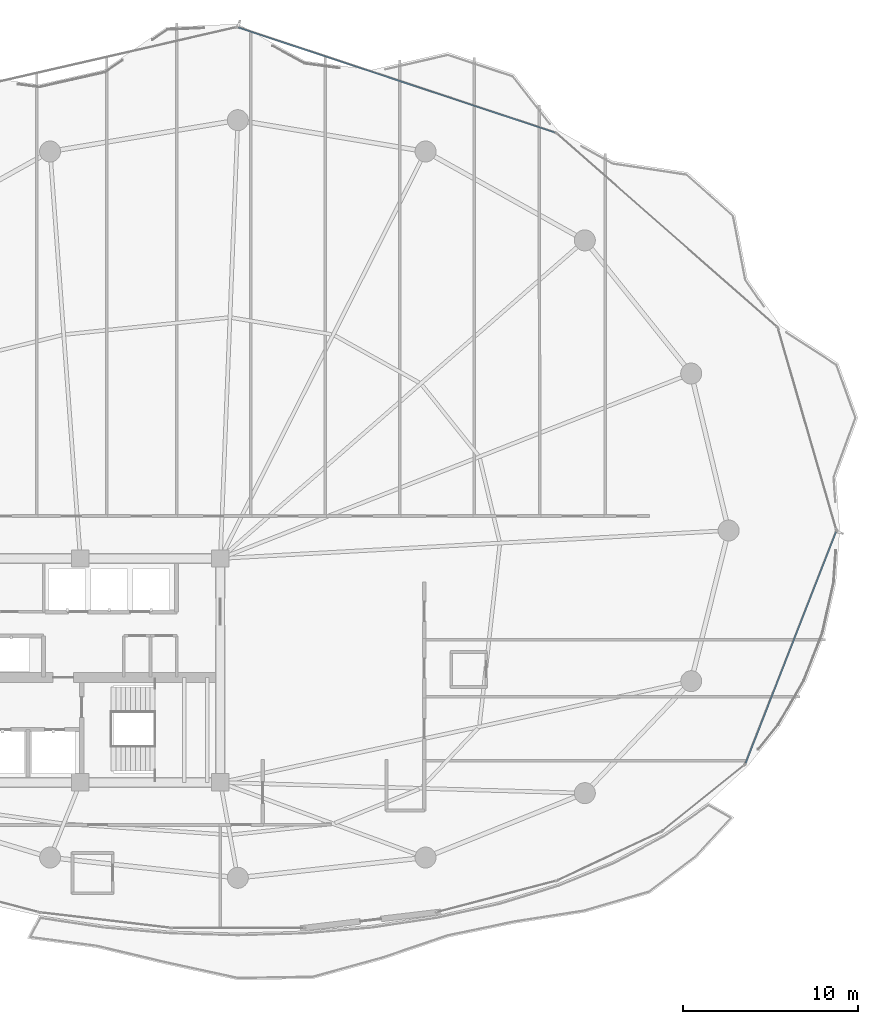
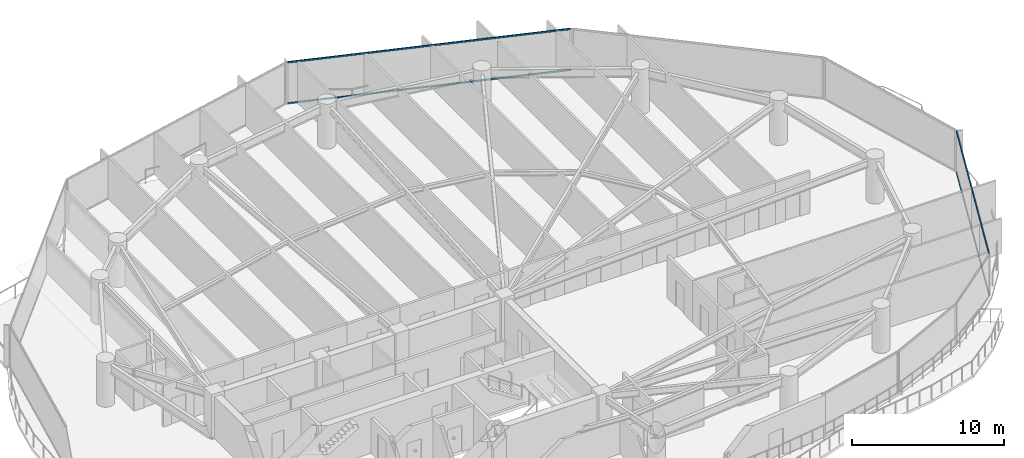
# One storey, part 23 of 34: 4 members, 2 elements without a shape of their own.
"""IFC4 building model written with IfcOpenShell, lengths in metres."""

from ifc_helpers import new_model, si_unit, direction, frame, origin, origin_2d, place, context, subcontext, project, spatial, hollow_rectangle, extrude, material, layer, layer_set, material_profile, profile_set, type_object, element, aggregate, save


model = new_model("IFC4")

# Units and contexts
model_context = context("Model", 3, precision=1e-05, world=origin(), true_north=direction((0.0, 1.0)))
body_context = subcontext(model_context, "Body", "Model", "MODEL_VIEW")
ifc_project = project(units=[si_unit("LENGTHUNIT", "METRE"), si_unit("AREAUNIT", "SQUARE_METRE"), si_unit("VOLUMEUNIT", "CUBIC_METRE"), si_unit("PLANEANGLEUNIT", "RADIAN"), si_unit("MASSUNIT", "GRAM", prefix="KILO")], contexts=[model_context])

# Site, building, storey
site_placement = place(None, origin())
site = spatial("IfcSite", under=ifc_project, at=site_placement, CompositionType="ELEMENT")
building_placement = place(site_placement, origin())
building = spatial("IfcBuilding", under=site, at=building_placement, Name="Kazevale Care Tower and Concert Hall", CompositionType="ELEMENT")
storey_placement = place(building_placement, frame((0.0, 0.0, 160.199951171875)))
storey = spatial("IfcBuildingStorey", under=building, at=storey_placement, Name="L42", CompositionType="ELEMENT", Elevation=160.199951171875)

# Curtain wall, members
ifc_material_1 = material(Name="Aluminium 6063-T6 and Low-E Glass", Category="aluminium")
ifc_layer_1 = layer(ifc_material_1, 0.179931640625)
ifc_layer_set_1 = layer_set([ifc_layer_1], Name="Aluminium 6063-T6 and Low-E Glass")
curtain_wall_type_1 = type_object("IfcCurtainWallType", Name="Convex Checkerboard Finned Curtain Wall CW-2", PredefinedType="NOTDEFINED", material=ifc_layer_set_1)
curtain_wall_1_placement = place(storey_placement, origin())
curtain_wall_1 = element("IfcCurtainWall", 1, at=curtain_wall_1_placement, inside=storey, type_object=curtain_wall_type_1, Name="cw:L42:f16", PredefinedType="NOTDEFINED")
ifc_material_2 = material(Name="Aluminium 6063-T6", Category="aluminium")
ifc_material_profile_1 = material_profile(ifc_material_2, hollow_rectangle(XDim=0.074951171875, YDim=0.1201171875, WallThickness=0.00390625, at=origin_2d()), Name="ALU75x120x4")
ifc_profile_set_1 = profile_set([ifc_material_profile_1], Name="Aluminium 6063-T6")
member_type_1 = type_object("IfcMemberType", Name="CW-2 Transom ALU75x120x4", PredefinedType="USERDEFINED", material=ifc_profile_set_1)
member_1_placement = place(storey_placement, frame((45.033935546875, 66.742919921875, 0.03759765625), z_axis=(0.949132363683, -0.314877366938, 0.0), x_axis=(0.314877366938, 0.949132363683, 0.0)))
member_1 = element("IfcMember", 2, at=member_1_placement, type_object=member_type_1, Name="CW-2 transom 1.1", ObjectType="TRANSOM", PredefinedType="USERDEFINED", context=body_context, shape_type="SweptSolid", body=[
    extrude(hollow_rectangle(XDim=0.074951171875, YDim=0.1201171875, WallThickness=0.00390625, at=origin_2d()), origin(), (0.0, 0.0, 1.0), 19.041748046875),
])
member_2_placement = place(storey_placement, frame((45.033935546875, 66.742919921875, 3.322509765625), z_axis=(0.949132363683, -0.314877366938, 0.0), x_axis=(0.314877366938, 0.949132363683, 0.0)))
member_2 = element("IfcMember", 3, at=member_2_placement, type_object=member_type_1, Name="CW-2 transom 1.2", ObjectType="TRANSOM", PredefinedType="USERDEFINED", context=body_context, shape_type="SweptSolid", body=[
    extrude(hollow_rectangle(XDim=0.074951171875, YDim=0.1201171875, WallThickness=0.00390625, at=origin_2d()), origin(), (0.0, 0.0, 1.0), 19.041748046875),
])
aggregate(curtain_wall_1, [member_1, member_2])

ifc_layer_2 = layer(ifc_material_1, 0.179931640625)
ifc_layer_set_2 = layer_set([ifc_layer_2], Name="Aluminium 6063-T6 and Low-E Glass")
curtain_wall_type_2 = type_object("IfcCurtainWallType", Name="Waist & Upper Residential Curtain Wall CW-4", PredefinedType="NOTDEFINED", material=ifc_layer_set_2)
curtain_wall_2_placement = place(storey_placement, origin())
curtain_wall_2 = element("IfcCurtainWall", 4, at=curtain_wall_2_placement, inside=storey, type_object=curtain_wall_type_2, Name="cw:L42:f01", PredefinedType="NOTDEFINED")
ifc_material_profile_2 = material_profile(ifc_material_2, hollow_rectangle(XDim=0.080078125, YDim=0.139892578125, WallThickness=0.00390625, at=origin_2d()), Name="ALU80x140x4")
ifc_profile_set_2 = profile_set([ifc_material_profile_2], Name="Aluminium 6063-T6")
member_type_2 = type_object("IfcMemberType", Name="CW-4 Transom ALU80x140x4", PredefinedType="USERDEFINED", material=ifc_profile_set_2)
member_3_placement = place(storey_placement, frame((79.19091796875, 37.925537109375, 0.0400390625), z_axis=(-0.364119027629, -0.931352421868, 0.0), x_axis=(0.931352421868, -0.364119027629, 0.0)))
member_3 = element("IfcMember", 5, at=member_3_placement, type_object=member_type_2, Name="CW-4 transom 1.1", ObjectType="TRANSOM", PredefinedType="USERDEFINED", context=body_context, shape_type="SweptSolid", body=[
    extrude(hollow_rectangle(XDim=0.080078125, YDim=0.139892578125, WallThickness=0.00390625, at=origin_2d()), origin(), (0.0, 0.0, 1.0), 14.18701171875),
])
member_4_placement = place(storey_placement, frame((79.19091796875, 37.925537109375, 3.320068359375), z_axis=(-0.364119027629, -0.931352421868, 0.0), x_axis=(0.931352421868, -0.364119027629, 0.0)))
member_4 = element("IfcMember", 6, at=member_4_placement, type_object=member_type_2, Name="CW-4 transom 1.2", ObjectType="TRANSOM", PredefinedType="USERDEFINED", context=body_context, shape_type="SweptSolid", body=[
    extrude(hollow_rectangle(XDim=0.080078125, YDim=0.139892578125, WallThickness=0.00390625, at=origin_2d()), origin(), (0.0, 0.0, 1.0), 14.18701171875),
])
aggregate(curtain_wall_2, [member_3, member_4])

save(model, "model.ifc")
